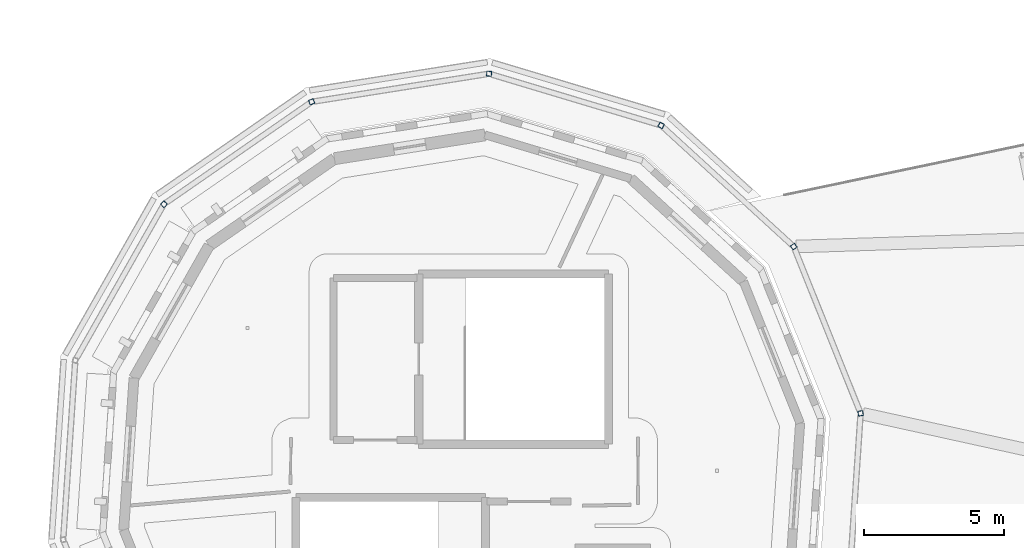
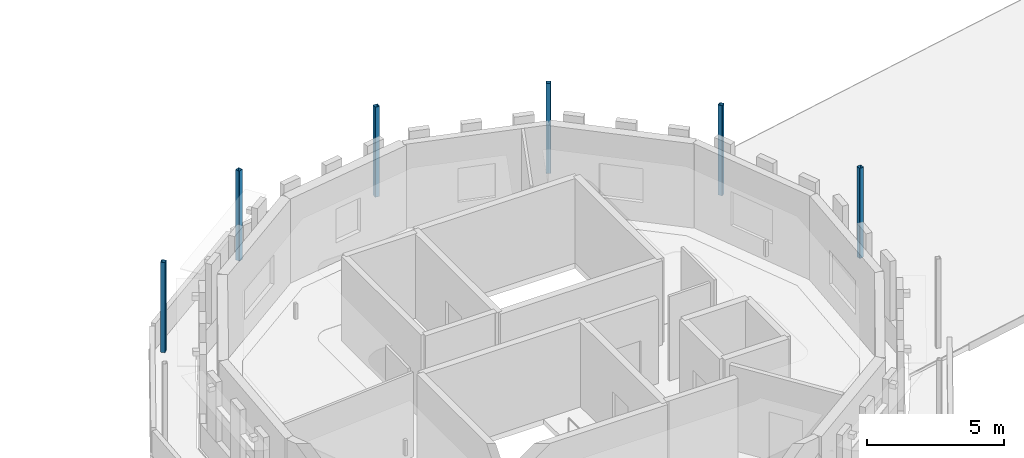
# One storey, part 5 of 51: 6 columns.
"""IFC4 building model written with IfcOpenShell, lengths in metres."""

import ifcopenshell
import ifcopenshell.guid

model = None  # the IFC model being written
_history = None  # IfcOwnerHistory: only IFC2X3 demands one
_inside = {}  # id of a spatial element -> (the spatial element, [elements in it])
_under = {}  # id of a project, library or spatial element -> (it, [spatial elements below it])
_declared = {}  # id of a project -> (the project, [libraries it declares])
_typed = {}  # id of a type object -> (the type object, [elements of that type])
_made_of = {}  # id of a material, layer set ... -> (it, [elements and type objects made of it])


def new_model(schema):
    """Start an empty IFC model of exactly this schema.

    Asked for "IFC4X3", IfcOpenShell would pick the latest addendum, in which some entities
    have other attributes; the version numbers below select the first issue.
    IFC2X3 requires an IfcOwnerHistory on every rooted entity: one is made here for all.
    """
    global model, _history
    if schema == "IFC4X3":
        model = ifcopenshell.file(schema_version=(4, 3, 0, 0))
    else:
        model = ifcopenshell.file(schema=schema)
    _inside.clear()
    _under.clear()
    _declared.clear()
    _typed.clear()
    _made_of.clear()
    _history = None
    if model.schema == "IFC2X3":
        org = make("IfcOrganization", Name="unknown")
        user = make(
            "IfcPersonAndOrganization",
            ThePerson=make("IfcPerson", FamilyName="unknown"),
            TheOrganization=org,
        )
        app = make(
            "IfcApplication",
            ApplicationDeveloper=org,
            Version="unknown",
            ApplicationFullName="unknown",
            ApplicationIdentifier="unknown",
        )
        _history = make(
            "IfcOwnerHistory",
            OwningUser=user,
            OwningApplication=app,
            ChangeAction="ADDED",
            CreationDate=0,
        )
    return model


def make(cls, **values):
    """One entity of the class cls with the attributes given. An attribute that is None is left unset."""
    return model.create_entity(
        cls, **{name: value for name, value in values.items() if value is not None}
    )


def rooted(cls, **values):
    """An entity with a GlobalId (a new one), such as an element, a storey or a relation."""
    return make(cls, GlobalId=ifcopenshell.guid.new(), OwnerHistory=_history, **values)


def si_unit(unit_type, name, prefix=None):
    """IfcSIUnit, for example si_unit("LENGTHUNIT", "METRE", prefix="MILLI")."""
    return make("IfcSIUnit", UnitType=unit_type, Prefix=prefix, Name=name)


def assignment(units):
    """IfcUnitAssignment: the units of a project."""
    return None if units is None else make("IfcUnitAssignment", Units=units)


def point(xyz):
    """IfcCartesianPoint."""
    return None if xyz is None else make("IfcCartesianPoint", Coordinates=xyz)


def direction(xyz):
    """IfcDirection."""
    return None if xyz is None else make("IfcDirection", DirectionRatios=xyz)


def frame(location, z_axis=None, x_axis=None):
    """IfcAxis2Placement3D, a coordinate frame: its origin and axes. An axis left out is left unset."""
    return make(
        "IfcAxis2Placement3D",
        Location=point(location),
        Axis=direction(z_axis),
        RefDirection=direction(x_axis),
    )


def frame_2d(location, x_axis=None):
    """IfcAxis2Placement2D, a coordinate frame in the plane: its origin and x axis."""
    return make(
        "IfcAxis2Placement2D", Location=point(location), RefDirection=direction(x_axis)
    )


def origin():
    """The frame at (0, 0, 0) with its axes left unset."""
    return frame((0.0, 0.0, 0.0))


def origin_2d():
    """The frame at (0, 0) in the plane with its x axis left unset."""
    return frame_2d((0.0, 0.0))


def place(relative_to, where):
    """IfcLocalPlacement: puts the frame where relative to a parent placement (None: the world)."""
    return make(
        "IfcLocalPlacement", PlacementRelTo=relative_to, RelativePlacement=where
    )


def context(
    kind, dimensions, precision=None, world=None, true_north=None, identifier=None
):
    """IfcGeometricRepresentationContext, for example the 3D "Model" context."""
    return make(
        "IfcGeometricRepresentationContext",
        ContextIdentifier=identifier,
        ContextType=kind,
        CoordinateSpaceDimension=dimensions,
        Precision=precision,
        WorldCoordinateSystem=world,
        TrueNorth=true_north,
    )


def subcontext(parent, identifier, kind, view, scale=None):
    """IfcGeometricRepresentationSubContext, for example "Body" below "Model"."""
    return make(
        "IfcGeometricRepresentationSubContext",
        ContextIdentifier=identifier,
        ContextType=kind,
        ParentContext=parent,
        TargetScale=scale,
        TargetView=view,
    )


def project(units=None, contexts=None):
    """IfcProject with its units and contexts."""
    return rooted(
        "IfcProject",
        Name="project",
        RepresentationContexts=contexts,
        UnitsInContext=assignment(units),
    )


def spatial(cls, under=None, at=None, **own):
    """A site, building, storey or space (cls), placed at a placement, below another one or the project."""
    s = rooted(cls, ObjectPlacement=at, **own)
    if under is not None:
        _under.setdefault(under.id(), (under, []))[1].append(s)
    return s


def profile(cls, at=None, kind="AREA", **sizes):
    """A parametric profile (cls). Its sizes go by their IFC names, for example OverallWidth=200.0."""
    return make(cls, ProfileType=kind, Position=at, **sizes)


def hollow_rectangle(**sizes):
    """IfcRectangleHollowProfileDef."""
    return profile("IfcRectangleHollowProfileDef", **sizes)


def extrude(swept, where, along, depth):
    """IfcExtrudedAreaSolid: the profile swept, set in the frame where, extruded along a direction by depth."""
    return make(
        "IfcExtrudedAreaSolid",
        SweptArea=swept,
        Position=where,
        ExtrudedDirection=direction(along),
        Depth=depth,
    )


def shape(context_of_items, identifier, shape_type, items):
    """IfcShapeRepresentation: the items that make up one representation, for example the "Body"."""
    return make(
        "IfcShapeRepresentation",
        ContextOfItems=context_of_items,
        RepresentationIdentifier=identifier,
        RepresentationType=shape_type,
        Items=items,
    )


def material(Name=None, Category=None):
    """IfcMaterial."""
    return make("IfcMaterial", Name=Name, Category=Category)


def material_profile(
    of_material, cross_section, Name=None, Category=None, Priority=None
):
    """IfcMaterialProfile: a cross section and its material."""
    return make(
        "IfcMaterialProfile",
        Name=Name,
        Material=of_material,
        Profile=cross_section,
        Priority=Priority,
        Category=Category,
    )


def profile_set(profiles, Name=None, composite=None):
    """IfcMaterialProfileSet."""
    return make(
        "IfcMaterialProfileSet",
        Name=Name,
        MaterialProfiles=profiles,
        CompositeProfile=composite,
    )


def made_of(thing, what):
    """Note that an element or type object is made of a material, layer set ...; save() writes the relation."""
    if what is not None:
        _made_of.setdefault(what.id(), (what, []))[1].append(thing)
    return thing


def type_object(cls, material=None, **own):
    """A type object (cls), such as IfcWallType, which elements share."""
    return made_of(rooted(cls, **own), material)


def element(
    cls,
    number,
    at=None,
    inside=None,
    cuts=None,
    type_object=None,
    material=None,
    context=None,
    identifier="Body",
    shape_type=None,
    held_by="IfcProductDefinitionShape",
    body=None,
    shapes=None,
    **own,
):
    """One element of the class cls, such as IfcWall. Its Tag is "e" and its number.

    at: its placement. inside: the storey or other place that contains it. cuts: it is an
    opening in that element (IfcRelVoidsElement). A single representation is given by context,
    identifier, shape_type and body (its items); several are given by shapes. held_by: the class
    of the entity that holds the representations. save() writes the other relations.
    """
    e = rooted(cls, Tag="e%d" % number, ObjectPlacement=at, **own)
    if body is not None:
        shapes = [shape(context, identifier, shape_type, body)]
    if shapes is not None:
        e.Representation = make(held_by, Representations=shapes)
    if inside is not None:
        _inside.setdefault(inside.id(), (inside, []))[1].append(e)
    if cuts is not None:
        rooted(
            "IfcRelVoidsElement", RelatingBuildingElement=cuts, RelatedOpeningElement=e
        )
    if type_object is not None:
        _typed.setdefault(type_object.id(), (type_object, []))[1].append(e)
    return made_of(e, material)


def aggregate(whole, parts):
    """IfcRelAggregates: a whole, such as a stair, and the parts it consists of."""
    return rooted("IfcRelAggregates", RelatingObject=whole, RelatedObjects=parts)


def save(model, path):
    """Write the relations noted so far, then the file.

    IfcRelAggregates (storeys below a building ...), IfcRelContainedInSpatialStructure (elements
    in a storey), IfcRelDefinesByType, IfcRelAssociatesMaterial and IfcRelDeclares: one each for
    every whole, place, type object, material and project.
    """
    for whole, parts in _under.values():
        aggregate(whole, parts)
    for where, things in _inside.values():
        rooted(
            "IfcRelContainedInSpatialStructure",
            RelatedElements=things,
            RelatingStructure=where,
        )
    for kind, things in _typed.values():
        rooted("IfcRelDefinesByType", RelatedObjects=things, RelatingType=kind)
    for what, things in _made_of.values():
        rooted("IfcRelAssociatesMaterial", RelatedObjects=things, RelatingMaterial=what)
    for by, libraries in _declared.values():
        rooted("IfcRelDeclares", RelatingContext=by, RelatedDefinitions=libraries)
    model.write(path)


model = new_model("IFC4")

# Units and contexts
model_context = context("Model", 3, precision=1e-05, world=origin(), true_north=direction((0.0, 1.0)))
body_context = subcontext(model_context, "Body", "Model", "MODEL_VIEW")
ifc_project = project(units=[si_unit("LENGTHUNIT", "METRE"), si_unit("AREAUNIT", "SQUARE_METRE"), si_unit("VOLUMEUNIT", "CUBIC_METRE"), si_unit("PLANEANGLEUNIT", "RADIAN"), si_unit("MASSUNIT", "GRAM", prefix="KILO")], contexts=[model_context])

# Site, building, storey
site_placement = place(None, origin())
site = spatial("IfcSite", under=ifc_project, at=site_placement, CompositionType="ELEMENT")
building_placement = place(site_placement, origin())
building = spatial("IfcBuilding", under=site, at=building_placement, Name="Wrenclough Park School", CompositionType="ELEMENT")
storey_placement = place(building_placement, frame((0.0, 0.0, 16.800048828125)))
storey = spatial("IfcBuildingStorey", under=building, at=storey_placement, Name="L04", CompositionType="ELEMENT", Elevation=16.800048828125)

# Columns
ifc_material = material(Name="Structural steel S355", Category="steel")
ifc_material_profile = material_profile(ifc_material, hollow_rectangle(XDim=0.179931640625, YDim=0.179931640625, WallThickness=0.010009765625, InnerFilletRadius=0.010009765625, OuterFilletRadius=0.014892578125, at=origin_2d()), Name="SHS 180x180x10.0")
ifc_profile_set = profile_set([ifc_material_profile], Name="Structural steel S355")
column_type = type_object("IfcColumnType", Name="STR-COL-SHS180", PredefinedType="PILASTER", material=ifc_profile_set)
for number, where, z_axis, x_axis, name in (
    (1, (97.272216796875, 110.760498046875, 0.0), (0.0, 0.0, 1.0), (-0.15643446504, 0.987688340595, 0.0), "D4 L04 column D4-OUT-01"),
    (2, (94.8779296875, 116.72900390625, 0.0), (0.0, 0.0, 1.0), (-0.569423005964, 0.822044670489, 0.0), "D4 L04 column D4-OUT-02"),
    (3, (90.131103515625, 121.06787109375, 0.0), (0.0, 0.0, 1.0), (-0.869753437661, 0.493486532416, 0.0), "D4 L04 column D4-OUT-03"),
    (4, (83.971923828125, 122.917236328125, 0.0), (0.0, 0.0, 1.0), (-0.997731519333, 0.067318759124, 0.0), "D4 L04 column D4-OUT-04"),
    (5, (77.620361328125, 121.911376953125, 0.0), (0.0, 0.0, 1.0), (-0.928096422365, -0.372339939832, 0.0), "D4 L04 column D4-OUT-05"),
    (6, (72.334228515625, 118.2490234375, 0.0), (0.0, 0.0, 1.0), (-0.674688949446, -0.738102175512, 0.0), "D4 L04 column D4-OUT-06"),
):
    element("IfcColumn", number, at=place(storey_placement, frame(where, z_axis=z_axis, x_axis=x_axis)), inside=storey, type_object=column_type, Name=name, PredefinedType="PILASTER", context=body_context, shape_type="SweptSolid", body=[
        extrude(hollow_rectangle(XDim=0.179931640625, YDim=0.179931640625, WallThickness=0.010009765625, InnerFilletRadius=0.010009765625, OuterFilletRadius=0.014892578125, at=origin_2d()), origin(), (0.0, 0.0, 1.0), 4.0),
    ])

save(model, "model.ifc")
